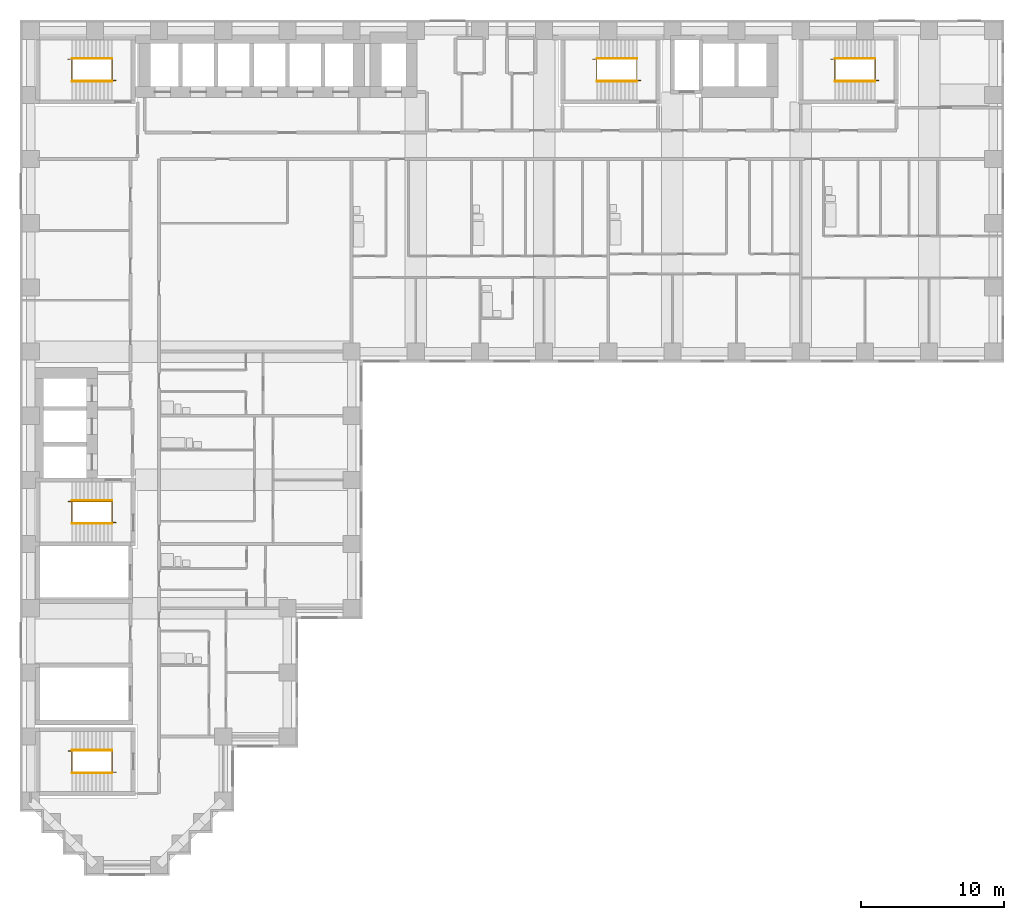
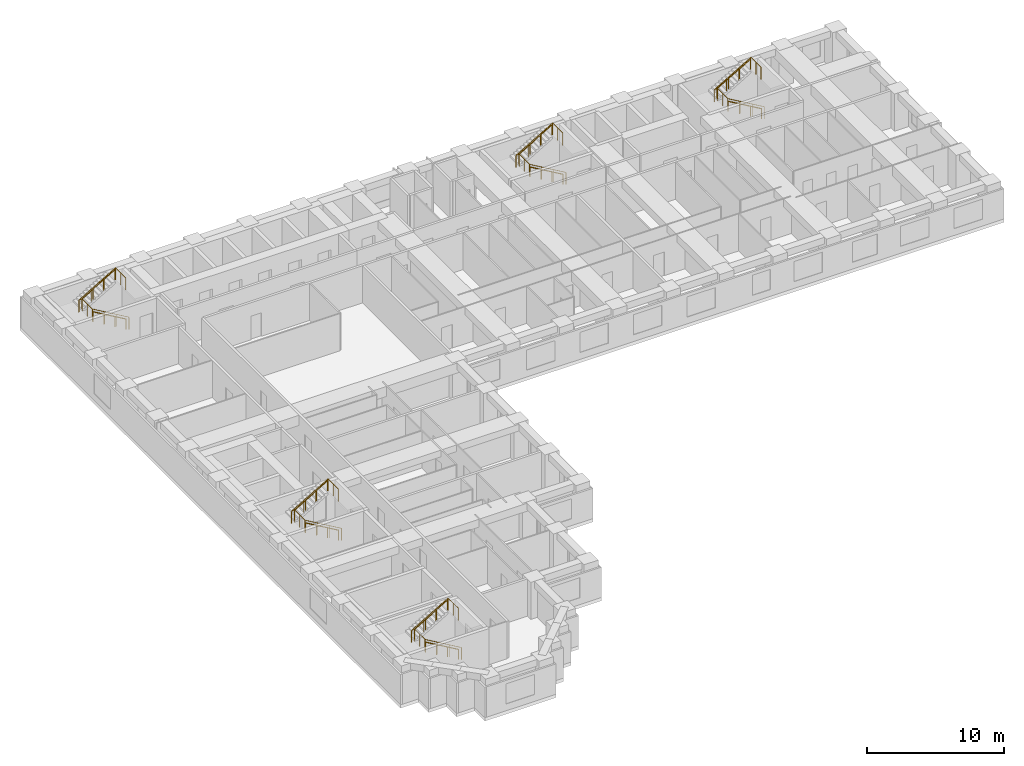
# One storey, part 11 of 12: 15 railings.
"""IFC4 building model written with IfcOpenShell, lengths in metres."""

from ifc_helpers import new_model, si_unit, direction, frame, origin, origin_2d, place, context, subcontext, project, spatial, circle, extrude, material, type_object, element, save


model = new_model("IFC4")

# Units and contexts
model_context = context("Model", 3, precision=1e-05, world=origin(), true_north=direction((0.0, 1.0)))
body_context = subcontext(model_context, "Body", "Model", "MODEL_VIEW")
ifc_project = project(units=[si_unit("LENGTHUNIT", "METRE"), si_unit("AREAUNIT", "SQUARE_METRE"), si_unit("VOLUMEUNIT", "CUBIC_METRE"), si_unit("PLANEANGLEUNIT", "RADIAN"), si_unit("MASSUNIT", "GRAM", prefix="KILO")], contexts=[model_context])

# Site, building, storey
site_placement = place(None, origin())
site = spatial("IfcSite", under=ifc_project, at=site_placement, CompositionType="ELEMENT")
building_placement = place(site_placement, origin())
building = spatial("IfcBuilding", under=site, at=building_placement, Name="Firuza Court", CompositionType="ELEMENT")
storey_placement = place(building_placement, frame((0.0, 0.0, 54.199951171875)))
storey = spatial("IfcBuildingStorey", under=building, at=storey_placement, Name="L12", CompositionType="ELEMENT", Elevation=54.199951171875)

# Railings
ifc_material_1 = material(Name="Steel S355", Category="steel")
railing_type_1 = type_object("IfcRailingType", Name="Handrail 900", PredefinedType="HANDRAIL", material=ifc_material_1)
railing_1_placement = place(storey_placement, frame((42.5, 54.949951171875, 0.16357421875)))
element("IfcRailing", 1, at=railing_1_placement, inside=storey, type_object=railing_type_1, Name="Handrail S1 flight 1", PredefinedType="HANDRAIL", context=body_context, shape_type="SweptSolid", body=[
    extrude(circle(Radius=0.02490234375, at=origin_2d()), frame((0.0, 0.0, 0.875), z_axis=(-0.863360870873, 0.0, 0.504586966384), x_axis=(0.0, -1.0, 0.0)), (0.0, 0.0, 1.0), 3.2431640625),
    extrude(circle(Radius=0.02001953125, at=origin_2d()), origin(), (0.0, 0.0, 1.0), 0.849853515625),
    extrude(circle(Radius=0.02001953125, at=origin_2d()), frame((-0.933349609375, 0.0, 0.54541015625)), (0.0, 0.0, 1.0), 0.849853515625),
    extrude(circle(Radius=0.02001953125, at=origin_2d()), frame((-1.86669921875, 0.0, 1.091064453125)), (0.0, 0.0, 1.0), 0.849853515625),
    extrude(circle(Radius=0.02001953125, at=origin_2d()), frame((-2.800048828125, 0.0, 1.636474609375)), (0.0, 0.0, 1.0), 0.849853515625),
])
railing_2_placement = place(storey_placement, frame((39.699951171875, 56.550048828125, 1.963623046875)))
element("IfcRailing", 2, at=railing_2_placement, inside=storey, type_object=railing_type_1, Name="Handrail S1 flight 2", PredefinedType="HANDRAIL", context=body_context, shape_type="SweptSolid", body=[
    extrude(circle(Radius=0.02490234375, at=origin_2d()), frame((0.0, 0.0, 0.875), z_axis=(0.863360870873, 0.0, 0.504586966384), x_axis=(0.0, 1.0, 0.0)), (0.0, 0.0, 1.0), 3.2431640625),
    extrude(circle(Radius=0.02001953125, at=origin_2d()), origin(), (0.0, 0.0, 1.0), 0.849853515625),
    extrude(circle(Radius=0.02001953125, at=origin_2d()), frame((0.933349609375, 0.0, 0.54541015625)), (0.0, 0.0, 1.0), 0.849853515625),
    extrude(circle(Radius=0.02001953125, at=origin_2d()), frame((1.86669921875, 0.0, 1.091064453125)), (0.0, 0.0, 1.0), 0.849853515625),
    extrude(circle(Radius=0.02001953125, at=origin_2d()), frame((2.800048828125, 0.0, 1.636474609375)), (0.0, 0.0, 1.0), 0.849853515625),
])
railing_3_placement = place(storey_placement, frame((5.699951171875, 23.949951171875, 0.16357421875)))
element("IfcRailing", 3, at=railing_3_placement, inside=storey, type_object=railing_type_1, Name="Handrail S2 flight 1", PredefinedType="HANDRAIL", context=body_context, shape_type="SweptSolid", body=[
    extrude(circle(Radius=0.02490234375, at=origin_2d()), frame((0.0, 0.0, 0.875), z_axis=(-0.863360870873, 0.0, 0.504586966384), x_axis=(0.0, -1.0, 0.0)), (0.0, 0.0, 1.0), 3.2431640625),
    extrude(circle(Radius=0.02001953125, at=origin_2d()), origin(), (0.0, 0.0, 1.0), 0.849853515625),
    extrude(circle(Radius=0.02001953125, at=origin_2d()), frame((-0.933349609375, 0.0, 0.54541015625)), (0.0, 0.0, 1.0), 0.849853515625),
    extrude(circle(Radius=0.02001953125, at=origin_2d()), frame((-1.86669921875, 0.0, 1.091064453125)), (0.0, 0.0, 1.0), 0.849853515625),
    extrude(circle(Radius=0.02001953125, at=origin_2d()), frame((-2.800048828125, 0.0, 1.636474609375)), (0.0, 0.0, 1.0), 0.849853515625),
])
railing_4_placement = place(storey_placement, frame((2.89990234375, 25.550048828125, 1.963623046875)))
element("IfcRailing", 4, at=railing_4_placement, inside=storey, type_object=railing_type_1, Name="Handrail S2 flight 2", PredefinedType="HANDRAIL", context=body_context, shape_type="SweptSolid", body=[
    extrude(circle(Radius=0.02490234375, at=origin_2d()), frame((0.0, 0.0, 0.875), z_axis=(0.863360870873, 0.0, 0.504586966384), x_axis=(0.0, 1.0, 0.0)), (0.0, 0.0, 1.0), 3.2431640625),
    extrude(circle(Radius=0.02001953125, at=origin_2d()), origin(), (0.0, 0.0, 1.0), 0.849853515625),
    extrude(circle(Radius=0.02001953125, at=origin_2d()), frame((0.933349609375, 0.0, 0.54541015625)), (0.0, 0.0, 1.0), 0.849853515625),
    extrude(circle(Radius=0.02001953125, at=origin_2d()), frame((1.86669921875, 0.0, 1.091064453125)), (0.0, 0.0, 1.0), 0.849853515625),
    extrude(circle(Radius=0.02001953125, at=origin_2d()), frame((2.800048828125, 0.0, 1.636474609375)), (0.0, 0.0, 1.0), 0.849853515625),
])
railing_5_placement = place(storey_placement, frame((5.699951171875, 54.949951171875, 0.16357421875)))
element("IfcRailing", 5, at=railing_5_placement, inside=storey, type_object=railing_type_1, Name="Handrail S3 flight 1", PredefinedType="HANDRAIL", context=body_context, shape_type="SweptSolid", body=[
    extrude(circle(Radius=0.02490234375, at=origin_2d()), frame((0.0, 0.0, 0.875), z_axis=(-0.863360870873, 0.0, 0.504586966384), x_axis=(0.0, -1.0, 0.0)), (0.0, 0.0, 1.0), 3.2431640625),
    extrude(circle(Radius=0.02001953125, at=origin_2d()), origin(), (0.0, 0.0, 1.0), 0.849853515625),
    extrude(circle(Radius=0.02001953125, at=origin_2d()), frame((-0.933349609375, 0.0, 0.54541015625)), (0.0, 0.0, 1.0), 0.849853515625),
    extrude(circle(Radius=0.02001953125, at=origin_2d()), frame((-1.86669921875, 0.0, 1.091064453125)), (0.0, 0.0, 1.0), 0.849853515625),
    extrude(circle(Radius=0.02001953125, at=origin_2d()), frame((-2.800048828125, 0.0, 1.636474609375)), (0.0, 0.0, 1.0), 0.849853515625),
])
railing_6_placement = place(storey_placement, frame((2.89990234375, 56.550048828125, 1.963623046875)))
element("IfcRailing", 6, at=railing_6_placement, inside=storey, type_object=railing_type_1, Name="Handrail S3 flight 2", PredefinedType="HANDRAIL", context=body_context, shape_type="SweptSolid", body=[
    extrude(circle(Radius=0.02490234375, at=origin_2d()), frame((0.0, 0.0, 0.875), z_axis=(0.863360870873, 0.0, 0.504586966384), x_axis=(0.0, 1.0, 0.0)), (0.0, 0.0, 1.0), 3.2431640625),
    extrude(circle(Radius=0.02001953125, at=origin_2d()), origin(), (0.0, 0.0, 1.0), 0.849853515625),
    extrude(circle(Radius=0.02001953125, at=origin_2d()), frame((0.933349609375, 0.0, 0.54541015625)), (0.0, 0.0, 1.0), 0.849853515625),
    extrude(circle(Radius=0.02001953125, at=origin_2d()), frame((1.86669921875, 0.0, 1.091064453125)), (0.0, 0.0, 1.0), 0.849853515625),
    extrude(circle(Radius=0.02001953125, at=origin_2d()), frame((2.800048828125, 0.0, 1.636474609375)), (0.0, 0.0, 1.0), 0.849853515625),
])
railing_7_placement = place(storey_placement, frame((59.199951171875, 54.949951171875, 0.16357421875)))
element("IfcRailing", 7, at=railing_7_placement, inside=storey, type_object=railing_type_1, Name="Handrail S4 flight 1", PredefinedType="HANDRAIL", context=body_context, shape_type="SweptSolid", body=[
    extrude(circle(Radius=0.02490234375, at=origin_2d()), frame((0.0, 0.0, 0.875), z_axis=(-0.863360870873, 0.0, 0.504586966384), x_axis=(0.0, -1.0, 0.0)), (0.0, 0.0, 1.0), 3.2431640625),
    extrude(circle(Radius=0.02001953125, at=origin_2d()), origin(), (0.0, 0.0, 1.0), 0.849853515625),
    extrude(circle(Radius=0.02001953125, at=origin_2d()), frame((-0.933349609375, 0.0, 0.54541015625)), (0.0, 0.0, 1.0), 0.849853515625),
    extrude(circle(Radius=0.02001953125, at=origin_2d()), frame((-1.86669921875, 0.0, 1.091064453125)), (0.0, 0.0, 1.0), 0.849853515625),
    extrude(circle(Radius=0.02001953125, at=origin_2d()), frame((-2.800048828125, 0.0, 1.636474609375)), (0.0, 0.0, 1.0), 0.849853515625),
])
railing_8_placement = place(storey_placement, frame((56.39990234375, 56.550048828125, 1.963623046875)))
element("IfcRailing", 8, at=railing_8_placement, inside=storey, type_object=railing_type_1, Name="Handrail S4 flight 2", PredefinedType="HANDRAIL", context=body_context, shape_type="SweptSolid", body=[
    extrude(circle(Radius=0.02490234375, at=origin_2d()), frame((0.0, 0.0, 0.875), z_axis=(0.863360870873, 0.0, 0.504586966384), x_axis=(0.0, 1.0, 0.0)), (0.0, 0.0, 1.0), 3.2431640625),
    extrude(circle(Radius=0.02001953125, at=origin_2d()), origin(), (0.0, 0.0, 1.0), 0.849853515625),
    extrude(circle(Radius=0.02001953125, at=origin_2d()), frame((0.933349609375, 0.0, 0.54541015625)), (0.0, 0.0, 1.0), 0.849853515625),
    extrude(circle(Radius=0.02001953125, at=origin_2d()), frame((1.86669921875, 0.0, 1.091064453125)), (0.0, 0.0, 1.0), 0.849853515625),
    extrude(circle(Radius=0.02001953125, at=origin_2d()), frame((2.800048828125, 0.0, 1.636474609375)), (0.0, 0.0, 1.0), 0.849853515625),
])
railing_9_placement = place(storey_placement, frame((5.699951171875, 6.449951171875, 0.16357421875)))
element("IfcRailing", 9, at=railing_9_placement, inside=storey, type_object=railing_type_1, Name="Handrail S5 flight 1", PredefinedType="HANDRAIL", context=body_context, shape_type="SweptSolid", body=[
    extrude(circle(Radius=0.02490234375, at=origin_2d()), frame((0.0, 0.0, 0.875), z_axis=(-0.863360870873, 0.0, 0.504586966384), x_axis=(0.0, -1.0, 0.0)), (0.0, 0.0, 1.0), 3.2431640625),
    extrude(circle(Radius=0.02001953125, at=origin_2d()), origin(), (0.0, 0.0, 1.0), 0.849853515625),
    extrude(circle(Radius=0.02001953125, at=origin_2d()), frame((-0.933349609375, 0.0, 0.54541015625)), (0.0, 0.0, 1.0), 0.849853515625),
    extrude(circle(Radius=0.02001953125, at=origin_2d()), frame((-1.86669921875, 0.0, 1.091064453125)), (0.0, 0.0, 1.0), 0.849853515625),
    extrude(circle(Radius=0.02001953125, at=origin_2d()), frame((-2.800048828125, 0.0, 1.636474609375)), (0.0, 0.0, 1.0), 0.849853515625),
])
railing_10_placement = place(storey_placement, frame((2.89990234375, 8.050048828125, 1.963623046875)))
element("IfcRailing", 10, at=railing_10_placement, inside=storey, type_object=railing_type_1, Name="Handrail S5 flight 2", PredefinedType="HANDRAIL", context=body_context, shape_type="SweptSolid", body=[
    extrude(circle(Radius=0.02490234375, at=origin_2d()), frame((0.0, 0.0, 0.875), z_axis=(0.863360870873, 0.0, 0.504586966384), x_axis=(0.0, 1.0, 0.0)), (0.0, 0.0, 1.0), 3.2431640625),
    extrude(circle(Radius=0.02001953125, at=origin_2d()), origin(), (0.0, 0.0, 1.0), 0.849853515625),
    extrude(circle(Radius=0.02001953125, at=origin_2d()), frame((0.933349609375, 0.0, 0.54541015625)), (0.0, 0.0, 1.0), 0.849853515625),
    extrude(circle(Radius=0.02001953125, at=origin_2d()), frame((1.86669921875, 0.0, 1.091064453125)), (0.0, 0.0, 1.0), 0.849853515625),
    extrude(circle(Radius=0.02001953125, at=origin_2d()), frame((2.800048828125, 0.0, 1.636474609375)), (0.0, 0.0, 1.0), 0.849853515625),
])
ifc_material_2 = material(Name="Steel S355", Category="steel")
railing_type_2 = type_object("IfcRailingType", Name="Stair guard 1100", PredefinedType="GUARDRAIL", material=ifc_material_2)
railing_11_placement = place(storey_placement, frame((42.780029296875, 55.010009765625, 0.0)))
element("IfcRailing", 11, at=railing_11_placement, inside=storey, type_object=railing_type_2, Name="Stair well guard S1", PredefinedType="GUARDRAIL", context=body_context, shape_type="SweptSolid", body=[
    extrude(circle(Radius=0.02490234375, at=origin_2d()), frame((0.0, 0.0, 1.0751953125), z_axis=(-0.863371556955, 0.0, 0.504568681787), x_axis=(0.0, -1.0, 0.0)), (0.0, 0.0, 1.0), 3.5673828125),
    extrude(circle(Radius=0.02490234375, at=origin_2d()), frame((-3.080078125, 0.0, 2.875), z_axis=(0.0, 1.0, 0.0), x_axis=(-1.0, 0.0, 0.0)), (0.0, 0.0, 1.0), 1.47998046875),
    extrude(circle(Radius=0.02490234375, at=origin_2d()), frame((-3.080078125, 1.47998046875, 2.875), z_axis=(-1.0, 0.0, 0.0), x_axis=(0.0, -1.0, 0.0)), (0.0, 0.0, 1.0), 0.280029296875),
    extrude(circle(Radius=0.02490234375, at=origin_2d()), frame((-3.360107421875, 1.47998046875, 2.875), z_axis=(0.863371556955, 0.0, 0.504568681787), x_axis=(0.0, 1.0, 0.0)), (0.0, 0.0, 1.0), 3.5673828125),
    extrude(circle(Radius=0.02490234375, at=origin_2d()), frame((-0.280029296875, 1.47998046875, 4.67529296875), z_axis=(0.0, -1.0, 0.0), x_axis=(1.0, 0.0, 0.0)), (0.0, 0.0, 1.0), 1.47998046875),
    extrude(circle(Radius=0.02490234375, at=origin_2d()), origin(), (0.0, 0.0, 1.0), 1.050048828125),
    extrude(circle(Radius=0.02490234375, at=origin_2d()), frame((-1.026611328125, 0.0, 0.60009765625)), (0.0, 0.0, 1.0), 1.050048828125),
    extrude(circle(Radius=0.02490234375, at=origin_2d()), frame((-2.053466796875, 0.0, 1.199951171875)), (0.0, 0.0, 1.0), 1.050048828125),
    extrude(circle(Radius=0.02490234375, at=origin_2d()), frame((-3.080078125, 0.0, 1.800048828125)), (0.0, 0.0, 1.0), 1.050048828125),
    extrude(circle(Radius=0.02490234375, at=origin_2d()), frame((-3.080078125, 0.739990234375, 1.800048828125)), (0.0, 0.0, 1.0), 1.050048828125),
    extrude(circle(Radius=0.02490234375, at=origin_2d()), frame((-3.080078125, 1.47998046875, 1.800048828125)), (0.0, 0.0, 1.0), 1.050048828125),
    extrude(circle(Radius=0.02490234375, at=origin_2d()), frame((-3.360107421875, 1.47998046875, 1.800048828125)), (0.0, 0.0, 1.0), 1.050048828125),
    extrude(circle(Radius=0.02490234375, at=origin_2d()), frame((-2.33349609375, 1.47998046875, 2.400146484375)), (0.0, 0.0, 1.0), 1.050048828125),
    extrude(circle(Radius=0.02490234375, at=origin_2d()), frame((-1.306640625, 1.47998046875, 3.0)), (0.0, 0.0, 1.0), 1.050048828125),
    extrude(circle(Radius=0.02490234375, at=origin_2d()), frame((-0.280029296875, 1.47998046875, 3.60009765625)), (0.0, 0.0, 1.0), 1.050048828125),
    extrude(circle(Radius=0.02490234375, at=origin_2d()), frame((-0.280029296875, 0.739990234375, 3.60009765625)), (0.0, 0.0, 1.0), 1.050048828125),
    extrude(circle(Radius=0.02490234375, at=origin_2d()), frame((-0.280029296875, 0.0, 3.60009765625)), (0.0, 0.0, 1.0), 1.050048828125),
])
railing_12_placement = place(storey_placement, frame((5.97998046875, 24.010009765625, 0.0)))
element("IfcRailing", 12, at=railing_12_placement, inside=storey, type_object=railing_type_2, Name="Stair well guard S2", PredefinedType="GUARDRAIL", context=body_context, shape_type="SweptSolid", body=[
    extrude(circle(Radius=0.02490234375, at=origin_2d()), frame((0.0, 0.0, 1.0751953125), z_axis=(-0.863371556955, 0.0, 0.504568681787), x_axis=(0.0, -1.0, 0.0)), (0.0, 0.0, 1.0), 3.5673828125),
    extrude(circle(Radius=0.02490234375, at=origin_2d()), frame((-3.080078125, 0.0, 2.875), z_axis=(0.0, 1.0, 0.0), x_axis=(-1.0, 0.0, 0.0)), (0.0, 0.0, 1.0), 1.47998046875),
    extrude(circle(Radius=0.02490234375, at=origin_2d()), frame((-3.080078125, 1.47998046875, 2.875), z_axis=(-1.0, 0.0, 0.0), x_axis=(0.0, -1.0, 0.0)), (0.0, 0.0, 1.0), 0.27978515625),
    extrude(circle(Radius=0.02490234375, at=origin_2d()), frame((-3.35986328125, 1.47998046875, 2.875), z_axis=(0.863354132664, 0.0, 0.504598495452), x_axis=(0.0, 1.0, 0.0)), (0.0, 0.0, 1.0), 3.5673828125),
    extrude(circle(Radius=0.02490234375, at=origin_2d()), frame((-0.280029296875, 1.47998046875, 4.67529296875), z_axis=(0.0, -1.0, 0.0), x_axis=(1.0, 0.0, 0.0)), (0.0, 0.0, 1.0), 1.47998046875),
    extrude(circle(Radius=0.02490234375, at=origin_2d()), origin(), (0.0, 0.0, 1.0), 1.050048828125),
    extrude(circle(Radius=0.02490234375, at=origin_2d()), frame((-1.026611328125, 0.0, 0.60009765625)), (0.0, 0.0, 1.0), 1.050048828125),
    extrude(circle(Radius=0.02490234375, at=origin_2d()), frame((-2.053466796875, 0.0, 1.199951171875)), (0.0, 0.0, 1.0), 1.050048828125),
    extrude(circle(Radius=0.02490234375, at=origin_2d()), frame((-3.080078125, 0.0, 1.800048828125)), (0.0, 0.0, 1.0), 1.050048828125),
    extrude(circle(Radius=0.02490234375, at=origin_2d()), frame((-3.080078125, 0.739990234375, 1.800048828125)), (0.0, 0.0, 1.0), 1.050048828125),
    extrude(circle(Radius=0.02490234375, at=origin_2d()), frame((-3.080078125, 1.47998046875, 1.800048828125)), (0.0, 0.0, 1.0), 1.050048828125),
    extrude(circle(Radius=0.02490234375, at=origin_2d()), frame((-3.35986328125, 1.47998046875, 1.800048828125)), (0.0, 0.0, 1.0), 1.050048828125),
    extrude(circle(Radius=0.02490234375, at=origin_2d()), frame((-2.333251953125, 1.47998046875, 2.400146484375)), (0.0, 0.0, 1.0), 1.050048828125),
    extrude(circle(Radius=0.02490234375, at=origin_2d()), frame((-1.306640625, 1.47998046875, 3.0)), (0.0, 0.0, 1.0), 1.050048828125),
    extrude(circle(Radius=0.02490234375, at=origin_2d()), frame((-0.280029296875, 1.47998046875, 3.60009765625)), (0.0, 0.0, 1.0), 1.050048828125),
    extrude(circle(Radius=0.02490234375, at=origin_2d()), frame((-0.280029296875, 0.739990234375, 3.60009765625)), (0.0, 0.0, 1.0), 1.050048828125),
    extrude(circle(Radius=0.02490234375, at=origin_2d()), frame((-0.280029296875, 0.0, 3.60009765625)), (0.0, 0.0, 1.0), 1.050048828125),
])
railing_13_placement = place(storey_placement, frame((5.97998046875, 55.010009765625, 0.0)))
element("IfcRailing", 13, at=railing_13_placement, inside=storey, type_object=railing_type_2, Name="Stair well guard S3", PredefinedType="GUARDRAIL", context=body_context, shape_type="SweptSolid", body=[
    extrude(circle(Radius=0.02490234375, at=origin_2d()), frame((0.0, 0.0, 1.0751953125), z_axis=(-0.863371556955, 0.0, 0.504568681787), x_axis=(0.0, -1.0, 0.0)), (0.0, 0.0, 1.0), 3.5673828125),
    extrude(circle(Radius=0.02490234375, at=origin_2d()), frame((-3.080078125, 0.0, 2.875), z_axis=(0.0, 1.0, 0.0), x_axis=(-1.0, 0.0, 0.0)), (0.0, 0.0, 1.0), 1.47998046875),
    extrude(circle(Radius=0.02490234375, at=origin_2d()), frame((-3.080078125, 1.47998046875, 2.875), z_axis=(-1.0, 0.0, 0.0), x_axis=(0.0, -1.0, 0.0)), (0.0, 0.0, 1.0), 0.27978515625),
    extrude(circle(Radius=0.02490234375, at=origin_2d()), frame((-3.35986328125, 1.47998046875, 2.875), z_axis=(0.863354132664, 0.0, 0.504598495452), x_axis=(0.0, 1.0, 0.0)), (0.0, 0.0, 1.0), 3.5673828125),
    extrude(circle(Radius=0.02490234375, at=origin_2d()), frame((-0.280029296875, 1.47998046875, 4.67529296875), z_axis=(0.0, -1.0, 0.0), x_axis=(1.0, 0.0, 0.0)), (0.0, 0.0, 1.0), 1.47998046875),
    extrude(circle(Radius=0.02490234375, at=origin_2d()), origin(), (0.0, 0.0, 1.0), 1.050048828125),
    extrude(circle(Radius=0.02490234375, at=origin_2d()), frame((-1.026611328125, 0.0, 0.60009765625)), (0.0, 0.0, 1.0), 1.050048828125),
    extrude(circle(Radius=0.02490234375, at=origin_2d()), frame((-2.053466796875, 0.0, 1.199951171875)), (0.0, 0.0, 1.0), 1.050048828125),
    extrude(circle(Radius=0.02490234375, at=origin_2d()), frame((-3.080078125, 0.0, 1.800048828125)), (0.0, 0.0, 1.0), 1.050048828125),
    extrude(circle(Radius=0.02490234375, at=origin_2d()), frame((-3.080078125, 0.739990234375, 1.800048828125)), (0.0, 0.0, 1.0), 1.050048828125),
    extrude(circle(Radius=0.02490234375, at=origin_2d()), frame((-3.080078125, 1.47998046875, 1.800048828125)), (0.0, 0.0, 1.0), 1.050048828125),
    extrude(circle(Radius=0.02490234375, at=origin_2d()), frame((-3.35986328125, 1.47998046875, 1.800048828125)), (0.0, 0.0, 1.0), 1.050048828125),
    extrude(circle(Radius=0.02490234375, at=origin_2d()), frame((-2.333251953125, 1.47998046875, 2.400146484375)), (0.0, 0.0, 1.0), 1.050048828125),
    extrude(circle(Radius=0.02490234375, at=origin_2d()), frame((-1.306640625, 1.47998046875, 3.0)), (0.0, 0.0, 1.0), 1.050048828125),
    extrude(circle(Radius=0.02490234375, at=origin_2d()), frame((-0.280029296875, 1.47998046875, 3.60009765625)), (0.0, 0.0, 1.0), 1.050048828125),
    extrude(circle(Radius=0.02490234375, at=origin_2d()), frame((-0.280029296875, 0.739990234375, 3.60009765625)), (0.0, 0.0, 1.0), 1.050048828125),
    extrude(circle(Radius=0.02490234375, at=origin_2d()), frame((-0.280029296875, 0.0, 3.60009765625)), (0.0, 0.0, 1.0), 1.050048828125),
])
railing_14_placement = place(storey_placement, frame((59.47998046875, 55.010009765625, 0.0)))
element("IfcRailing", 14, at=railing_14_placement, inside=storey, type_object=railing_type_2, Name="Stair well guard S4", PredefinedType="GUARDRAIL", context=body_context, shape_type="SweptSolid", body=[
    extrude(circle(Radius=0.02490234375, at=origin_2d()), frame((0.0, 0.0, 1.0751953125), z_axis=(-0.863371556955, 0.0, 0.504568681787), x_axis=(0.0, -1.0, 0.0)), (0.0, 0.0, 1.0), 3.5673828125),
    extrude(circle(Radius=0.02490234375, at=origin_2d()), frame((-3.080078125, 0.0, 2.875), z_axis=(0.0, 1.0, 0.0), x_axis=(-1.0, 0.0, 0.0)), (0.0, 0.0, 1.0), 1.47998046875),
    extrude(circle(Radius=0.02490234375, at=origin_2d()), frame((-3.080078125, 1.47998046875, 2.875), z_axis=(-1.0, 0.0, 0.0), x_axis=(0.0, -1.0, 0.0)), (0.0, 0.0, 1.0), 0.27978515625),
    extrude(circle(Radius=0.02490234375, at=origin_2d()), frame((-3.35986328125, 1.47998046875, 2.875), z_axis=(0.863354132664, 0.0, 0.504598495452), x_axis=(0.0, 1.0, 0.0)), (0.0, 0.0, 1.0), 3.5673828125),
    extrude(circle(Radius=0.02490234375, at=origin_2d()), frame((-0.280029296875, 1.47998046875, 4.67529296875), z_axis=(0.0, -1.0, 0.0), x_axis=(1.0, 0.0, 0.0)), (0.0, 0.0, 1.0), 1.47998046875),
    extrude(circle(Radius=0.02490234375, at=origin_2d()), origin(), (0.0, 0.0, 1.0), 1.050048828125),
    extrude(circle(Radius=0.02490234375, at=origin_2d()), frame((-1.026611328125, 0.0, 0.60009765625)), (0.0, 0.0, 1.0), 1.050048828125),
    extrude(circle(Radius=0.02490234375, at=origin_2d()), frame((-2.053466796875, 0.0, 1.199951171875)), (0.0, 0.0, 1.0), 1.050048828125),
    extrude(circle(Radius=0.02490234375, at=origin_2d()), frame((-3.080078125, 0.0, 1.800048828125)), (0.0, 0.0, 1.0), 1.050048828125),
    extrude(circle(Radius=0.02490234375, at=origin_2d()), frame((-3.080078125, 0.739990234375, 1.800048828125)), (0.0, 0.0, 1.0), 1.050048828125),
    extrude(circle(Radius=0.02490234375, at=origin_2d()), frame((-3.080078125, 1.47998046875, 1.800048828125)), (0.0, 0.0, 1.0), 1.050048828125),
    extrude(circle(Radius=0.02490234375, at=origin_2d()), frame((-3.35986328125, 1.47998046875, 1.800048828125)), (0.0, 0.0, 1.0), 1.050048828125),
    extrude(circle(Radius=0.02490234375, at=origin_2d()), frame((-2.333251953125, 1.47998046875, 2.400146484375)), (0.0, 0.0, 1.0), 1.050048828125),
    extrude(circle(Radius=0.02490234375, at=origin_2d()), frame((-1.306640625, 1.47998046875, 3.0)), (0.0, 0.0, 1.0), 1.050048828125),
    extrude(circle(Radius=0.02490234375, at=origin_2d()), frame((-0.280029296875, 1.47998046875, 3.60009765625)), (0.0, 0.0, 1.0), 1.050048828125),
    extrude(circle(Radius=0.02490234375, at=origin_2d()), frame((-0.280029296875, 0.739990234375, 3.60009765625)), (0.0, 0.0, 1.0), 1.050048828125),
    extrude(circle(Radius=0.02490234375, at=origin_2d()), frame((-0.280029296875, 0.0, 3.60009765625)), (0.0, 0.0, 1.0), 1.050048828125),
])
railing_15_placement = place(storey_placement, frame((5.97998046875, 6.510009765625, 0.0)))
element("IfcRailing", 15, at=railing_15_placement, inside=storey, type_object=railing_type_2, Name="Stair well guard S5", PredefinedType="GUARDRAIL", context=body_context, shape_type="SweptSolid", body=[
    extrude(circle(Radius=0.02490234375, at=origin_2d()), frame((0.0, 0.0, 1.0751953125), z_axis=(-0.863371556955, 0.0, 0.504568681787), x_axis=(0.0, -1.0, 0.0)), (0.0, 0.0, 1.0), 3.5673828125),
    extrude(circle(Radius=0.02490234375, at=origin_2d()), frame((-3.080078125, 0.0, 2.875), z_axis=(0.0, 1.0, 0.0), x_axis=(-1.0, 0.0, 0.0)), (0.0, 0.0, 1.0), 1.47998046875),
    extrude(circle(Radius=0.02490234375, at=origin_2d()), frame((-3.080078125, 1.47998046875, 2.875), z_axis=(-1.0, 0.0, 0.0), x_axis=(0.0, -1.0, 0.0)), (0.0, 0.0, 1.0), 0.27978515625),
    extrude(circle(Radius=0.02490234375, at=origin_2d()), frame((-3.35986328125, 1.47998046875, 2.875), z_axis=(0.863354132664, 0.0, 0.504598495452), x_axis=(0.0, 1.0, 0.0)), (0.0, 0.0, 1.0), 3.5673828125),
    extrude(circle(Radius=0.02490234375, at=origin_2d()), frame((-0.280029296875, 1.47998046875, 4.67529296875), z_axis=(0.0, -1.0, 0.0), x_axis=(1.0, 0.0, 0.0)), (0.0, 0.0, 1.0), 1.47998046875),
    extrude(circle(Radius=0.02490234375, at=origin_2d()), origin(), (0.0, 0.0, 1.0), 1.050048828125),
    extrude(circle(Radius=0.02490234375, at=origin_2d()), frame((-1.026611328125, 0.0, 0.60009765625)), (0.0, 0.0, 1.0), 1.050048828125),
    extrude(circle(Radius=0.02490234375, at=origin_2d()), frame((-2.053466796875, 0.0, 1.199951171875)), (0.0, 0.0, 1.0), 1.050048828125),
    extrude(circle(Radius=0.02490234375, at=origin_2d()), frame((-3.080078125, 0.0, 1.800048828125)), (0.0, 0.0, 1.0), 1.050048828125),
    extrude(circle(Radius=0.02490234375, at=origin_2d()), frame((-3.080078125, 0.739990234375, 1.800048828125)), (0.0, 0.0, 1.0), 1.050048828125),
    extrude(circle(Radius=0.02490234375, at=origin_2d()), frame((-3.080078125, 1.47998046875, 1.800048828125)), (0.0, 0.0, 1.0), 1.050048828125),
    extrude(circle(Radius=0.02490234375, at=origin_2d()), frame((-3.35986328125, 1.47998046875, 1.800048828125)), (0.0, 0.0, 1.0), 1.050048828125),
    extrude(circle(Radius=0.02490234375, at=origin_2d()), frame((-2.333251953125, 1.47998046875, 2.400146484375)), (0.0, 0.0, 1.0), 1.050048828125),
    extrude(circle(Radius=0.02490234375, at=origin_2d()), frame((-1.306640625, 1.47998046875, 3.0)), (0.0, 0.0, 1.0), 1.050048828125),
    extrude(circle(Radius=0.02490234375, at=origin_2d()), frame((-0.280029296875, 1.47998046875, 3.60009765625)), (0.0, 0.0, 1.0), 1.050048828125),
    extrude(circle(Radius=0.02490234375, at=origin_2d()), frame((-0.280029296875, 0.739990234375, 3.60009765625)), (0.0, 0.0, 1.0), 1.050048828125),
    extrude(circle(Radius=0.02490234375, at=origin_2d()), frame((-0.280029296875, 0.0, 3.60009765625)), (0.0, 0.0, 1.0), 1.050048828125),
])

save(model, "model.ifc")
